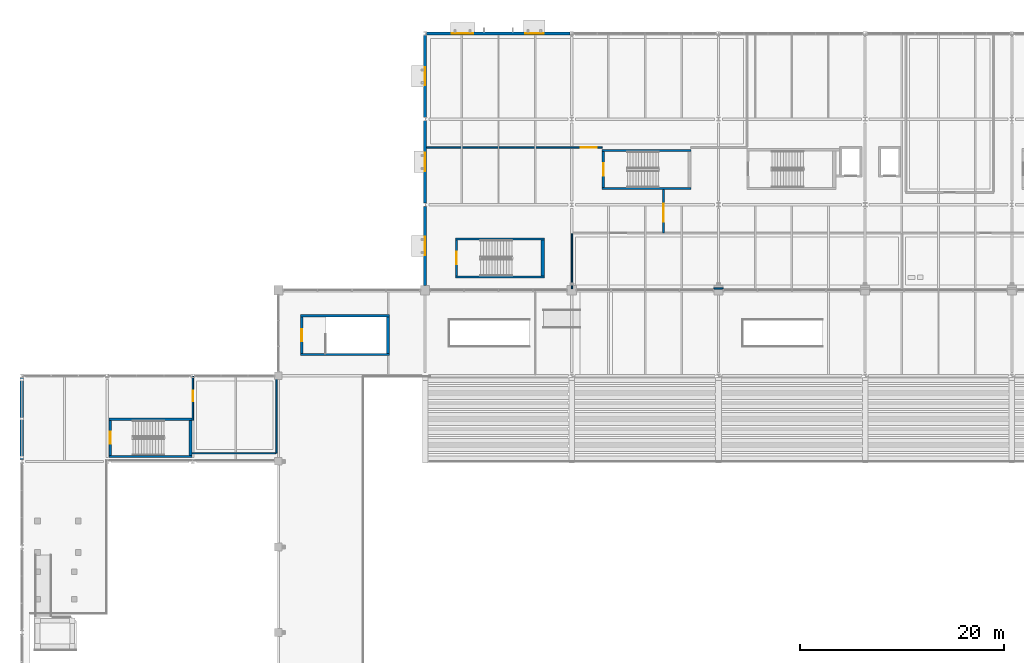
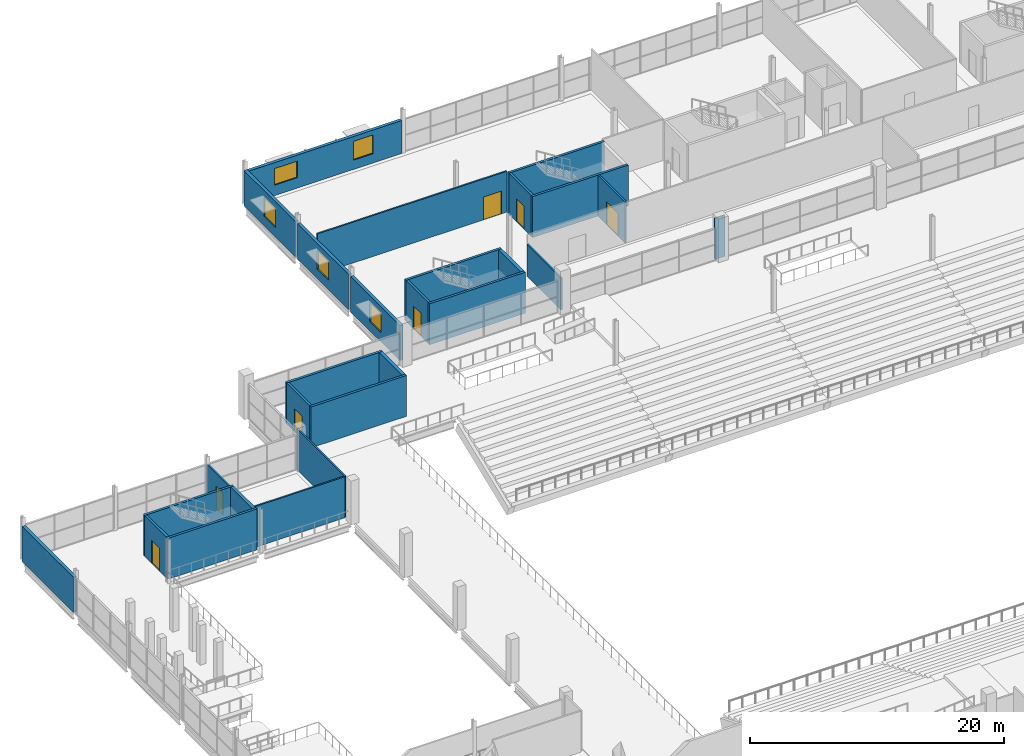
# One storey, part 137 of 161: 27 walls, 7 doors, 5 windows, 12 openings.
"""IFC4 building model written with IfcOpenShell, lengths in metres."""

from ifc_helpers import new_model, si_unit, direction, frame, frame_2d, origin, place, context, subcontext, project, spatial, rectangle, extrude, material, layer, layer_set, type_object, element, fill, save


model = new_model("IFC4")

# Units and contexts
model_context = context("Model", 3, precision=1e-05, world=origin(), true_north=direction((0.0, 1.0)))
body_context = subcontext(model_context, "Body", "Model", "MODEL_VIEW")
ifc_project = project(units=[si_unit("LENGTHUNIT", "METRE"), si_unit("AREAUNIT", "SQUARE_METRE"), si_unit("VOLUMEUNIT", "CUBIC_METRE"), si_unit("PLANEANGLEUNIT", "RADIAN"), si_unit("MASSUNIT", "GRAM", prefix="KILO"), si_unit("THERMODYNAMICTEMPERATUREUNIT", "KELVIN")], contexts=[model_context])

# Site, building, storey
site_placement = place(None, origin())
site = spatial("IfcSite", under=ifc_project, at=site_placement, CompositionType="ELEMENT")
building_placement = place(site_placement, origin())
building = spatial("IfcBuilding", under=site, at=building_placement, Name="Nduvali Passage Aquatics Centre", CompositionType="ELEMENT")
storey_placement = place(building_placement, frame((0.0, 0.0, 4.800048828125)))
storey = spatial("IfcBuildingStorey", under=building, at=storey_placement, Name="L01", CompositionType="ELEMENT", Elevation=4.800048828125)

# Wall, openings, windows
ifc_material_1 = material(Name="Coral-stone masonry blockwork", Category="masonry")
ifc_layer_1 = layer(ifc_material_1, 0.280029296875, Name="Coral-stone masonry blockwork")
ifc_layer_set_1 = layer_set([ifc_layer_1], Name="Coral-stone masonry blockwork")
wall_type_1 = type_object("IfcWallType", Name="ENV-WAL-CORAL280", PredefinedType="STANDARD", material=ifc_layer_set_1)
wall_1_placement = place(storey_placement, frame((53.845458984375, 117.60009765625, 0.0), z_axis=(0.0, 0.0, 1.0), x_axis=(-1.0, 0.0, 0.0)))
wall_1 = element("IfcWall", 1, at=wall_1_placement, inside=storey, type_object=wall_type_1, Name="L01 North Avenue Civic Facade 0060", PredefinedType="STANDARD", context=body_context, shape_type="SweptSolid", body=[
    extrude(rectangle(XDim=14.0908203125, YDim=0.280029296875, at=frame_2d((7.04541015625, 0.0))), origin(), (0.0, 0.0, 1.0), 3.173828125),
])
opening_1_placement = place(wall_1_placement, frame((2.623046875, 0.0, 0.89990234375)))
opening_1 = element("IfcOpeningElement", 2, at=opening_1_placement, cuts=wall_1, Name="Opening W2", PredefinedType="OPENING", context=body_context, shape_type="SweptSolid", body=[
    extrude(rectangle(XDim=1.800048828125, YDim=1.800048828125, at=frame_2d((0.89990234375, 0.89990234375))), frame((0.0, 0.15478515625, 0.0), z_axis=(0.0, -1.0, 0.0), x_axis=(1.0, 0.0, 0.0)), (0.0, 0.0, 1.0), 0.309814453125),
])
opening_2_placement = place(wall_1_placement, frame((9.51806640625, 0.0, 1.0)))
opening_2 = element("IfcOpeningElement", 3, at=opening_2_placement, cuts=wall_1, Name="Opening W5", PredefinedType="OPENING", context=body_context, shape_type="SweptSolid", body=[
    extrude(rectangle(XDim=2.10009765625, YDim=1.60009765625, at=frame_2d((1.050048828125, 0.800048828125))), frame((0.0, 0.15478515625, 0.0), z_axis=(0.0, -1.0, 0.0), x_axis=(1.0, 0.0, 0.0)), (0.0, 0.0, 1.0), 0.309814453125),
])
ifc_material_2 = material(Name="Aluminium-framed solar-control low-E IGU", Category="aluminium")
window_type_1 = type_object("IfcWindowType", Name="ENV-WIN-W2", PartitioningType="SINGLE_PANEL", PredefinedType="WINDOW", material=ifc_material_2)
window_1_placement = place(opening_1_placement, origin())
window_1 = element("IfcWindow", 4, at=window_1_placement, inside=storey, type_object=window_type_1, Name="L01 Exterior Window W2-0059", OverallHeight=1.800048828125, OverallWidth=1.800048828125, PartitioningType="SINGLE_PANEL", PredefinedType="WINDOW", context=body_context, shape_type="SweptSolid", body=[
    extrude(rectangle(XDim=1.800048828125, YDim=1.800048828125, at=frame_2d((0.89990234375, 0.89990234375))), frame((0.0, 0.030029296875, 0.0), z_axis=(0.0, -1.0, 0.0), x_axis=(1.0, 0.0, 0.0)), (0.0, 0.0, 1.0), 0.06005859375),
])
fill(opening_1, window_1)
window_type_2 = type_object("IfcWindowType", Name="ENV-WIN-W5", PartitioningType="SINGLE_PANEL", PredefinedType="WINDOW", material=ifc_material_2)
window_2_placement = place(opening_2_placement, origin())
window_2 = element("IfcWindow", 5, at=window_2_placement, inside=storey, type_object=window_type_2, Name="L01 Exterior Window W5-0060", OverallHeight=1.60009765625, OverallWidth=2.10009765625, PartitioningType="SINGLE_PANEL", PredefinedType="WINDOW", context=body_context, shape_type="SweptSolid", body=[
    extrude(rectangle(XDim=2.10009765625, YDim=1.60009765625, at=frame_2d((1.050048828125, 0.800048828125))), frame((0.0, 0.030029296875, 0.0), z_axis=(0.0, -1.0, 0.0), x_axis=(1.0, 0.0, 0.0)), (0.0, 0.0, 1.0), 0.06005859375),
])
fill(opening_2, window_2)

# Wall, opening, window
wall_2_placement = place(storey_placement, frame((39.60009765625, 100.6396484375, 0.0), z_axis=(0.0, 0.0, 1.0), x_axis=(0.0, -1.0, 0.0)))
wall_2 = element("IfcWall", 6, at=wall_2_placement, inside=storey, type_object=wall_type_1, Name="L01 North Wing West Stepped Facade 0062", PredefinedType="STANDARD", context=body_context, shape_type="SweptSolid", body=[
    extrude(rectangle(XDim=7.78955078125, YDim=0.280029296875, at=frame_2d((3.894775390625, 0.0))), origin(), (0.0, 0.0, 1.0), 3.396484375),
])
opening_3_placement = place(wall_2_placement, frame((2.9951171875, 0.0, 0.89990234375)))
opening_3 = element("IfcOpeningElement", 7, at=opening_3_placement, cuts=wall_2, Name="Opening W2", PredefinedType="OPENING", context=body_context, shape_type="SweptSolid", body=[
    extrude(rectangle(XDim=1.800048828125, YDim=1.800048828125, at=frame_2d((0.89990234375, 0.89990234375))), frame((0.0, 0.15478515625, 0.0), z_axis=(0.0, -1.0, 0.0), x_axis=(1.0, 0.0, 0.0)), (0.0, 0.0, 1.0), 0.309814453125),
])
window_3_placement = place(opening_3_placement, origin())
window_3 = element("IfcWindow", 8, at=window_3_placement, inside=storey, type_object=window_type_1, Name="L01 Exterior Window W2-0061", OverallHeight=1.800048828125, OverallWidth=1.800048828125, PartitioningType="SINGLE_PANEL", PredefinedType="WINDOW", context=body_context, shape_type="SweptSolid", body=[
    extrude(rectangle(XDim=1.800048828125, YDim=1.800048828125, at=frame_2d((0.89990234375, 0.89990234375))), frame((0.0, 0.030029296875, 0.0), z_axis=(0.0, -1.0, 0.0), x_axis=(1.0, 0.0, 0.0)), (0.0, 0.0, 1.0), 0.06005859375),
])
fill(opening_3, window_3)

wall_3_placement = place(storey_placement, frame((39.60009765625, 109.039794921875, 0.0), z_axis=(0.0, 0.0, 1.0), x_axis=(0.0, -1.0, 0.0)))
wall_3 = element("IfcWall", 9, at=wall_3_placement, inside=storey, type_object=wall_type_1, Name="L01 North Wing West Stepped Facade 0063", PredefinedType="STANDARD", context=body_context, shape_type="SweptSolid", body=[
    extrude(rectangle(XDim=8.07958984375, YDim=0.280029296875, at=frame_2d((4.039794921875, 0.0))), origin(), (0.0, 0.0, 1.0), 3.396484375),
])
opening_4_placement = place(wall_3_placement, frame((3.139892578125, 0.0, 0.89990234375)))
opening_4 = element("IfcOpeningElement", 10, at=opening_4_placement, cuts=wall_3, Name="Opening W2", PredefinedType="OPENING", context=body_context, shape_type="SweptSolid", body=[
    extrude(rectangle(XDim=1.800048828125, YDim=1.800048828125, at=frame_2d((0.89990234375, 0.89990234375))), frame((0.0, 0.15478515625, 0.0), z_axis=(0.0, -1.0, 0.0), x_axis=(1.0, 0.0, 0.0)), (0.0, 0.0, 1.0), 0.309814453125),
])
window_4_placement = place(opening_4_placement, origin())
window_4 = element("IfcWindow", 11, at=window_4_placement, inside=storey, type_object=window_type_1, Name="L01 Exterior Window W2-0062", OverallHeight=1.800048828125, OverallWidth=1.800048828125, PartitioningType="SINGLE_PANEL", PredefinedType="WINDOW", context=body_context, shape_type="SweptSolid", body=[
    extrude(rectangle(XDim=1.800048828125, YDim=1.800048828125, at=frame_2d((0.89990234375, 0.89990234375))), frame((0.0, 0.030029296875, 0.0), z_axis=(0.0, -1.0, 0.0), x_axis=(1.0, 0.0, 0.0)), (0.0, 0.0, 1.0), 0.06005859375),
])
fill(opening_4, window_4)

wall_4_placement = place(storey_placement, frame((39.60009765625, 117.439697265625, 0.0), z_axis=(0.0, 0.0, 1.0), x_axis=(0.0, -1.0, 0.0)))
wall_4 = element("IfcWall", 12, at=wall_4_placement, inside=storey, type_object=wall_type_1, Name="L01 North Wing West Stepped Facade 0064", PredefinedType="STANDARD", context=body_context, shape_type="SweptSolid", body=[
    extrude(rectangle(XDim=8.079345703125, YDim=0.280029296875, at=frame_2d((4.03955078125, 0.0))), origin(), (0.0, 0.0, 1.0), 3.396484375),
])
opening_5_placement = place(wall_4_placement, frame((3.139892578125, 0.0, 0.89990234375)))
opening_5 = element("IfcOpeningElement", 13, at=opening_5_placement, cuts=wall_4, Name="Opening W2", PredefinedType="OPENING", context=body_context, shape_type="SweptSolid", body=[
    extrude(rectangle(XDim=1.800048828125, YDim=1.800048828125, at=frame_2d((0.89990234375, 0.89990234375))), frame((0.0, 0.15478515625, 0.0), z_axis=(0.0, -1.0, 0.0), x_axis=(1.0, 0.0, 0.0)), (0.0, 0.0, 1.0), 0.309814453125),
])
window_5_placement = place(opening_5_placement, origin())
window_5 = element("IfcWindow", 14, at=window_5_placement, inside=storey, type_object=window_type_1, Name="L01 Exterior Window W2-0063", OverallHeight=1.800048828125, OverallWidth=1.800048828125, PartitioningType="SINGLE_PANEL", PredefinedType="WINDOW", context=body_context, shape_type="SweptSolid", body=[
    extrude(rectangle(XDim=1.800048828125, YDim=1.800048828125, at=frame_2d((0.89990234375, 0.89990234375))), frame((0.0, 0.030029296875, 0.0), z_axis=(0.0, -1.0, 0.0), x_axis=(1.0, 0.0, 0.0)), (0.0, 0.0, 1.0), 0.06005859375),
])
fill(opening_5, window_5)

# Walls
ifc_layer_2 = layer(ifc_material_1, 0.300048828125, Name="Coral-stone masonry blockwork")
ifc_layer_set_2 = layer_set([ifc_layer_2], Name="Coral-stone masonry blockwork")
wall_type_2 = type_object("IfcWallType", Name="ENV-WAL-CORAL300", PredefinedType="STANDARD", material=ifc_layer_set_2)
wall_5_placement = place(storey_placement, frame((0.0, 83.830078125, 0.0), z_axis=(0.0, 0.0, 1.0), x_axis=(0.0, -1.0, 0.0)))
element("IfcWall", 15, at=wall_5_placement, inside=storey, type_object=wall_type_2, Name="L01 Diving West Facade 0030", PredefinedType="STANDARD", context=body_context, shape_type="SweptSolid", body=[
    extrude(rectangle(XDim=8.06005859375, YDim=0.300048828125, at=frame_2d((4.030029296875, 0.0))), origin(), (0.0, 0.0, 1.0), 3.396484375),
])
ifc_material_3 = material(Name="Concrete C40/50", Category="concrete")
ifc_layer_3 = layer(ifc_material_3, 0.219970703125, Name="Concrete C40/50")
ifc_layer_set_3 = layer_set([ifc_layer_3], Name="Concrete C40/50")
wall_type_3 = type_object("IfcWallType", Name="INT-WAL-CORE220", PredefinedType="SOLIDWALL", material=ifc_layer_set_3)
for number, where, z_axis, x_axis, name in (
    (16, (56.97998046875, 102.389892578125, 0.0), (0.0, 0.0, 1.0), (1.0, 0.0, 0.0), "L01 Stair ST3 Core Wall S"),
    (17, (65.699951171875, 106.1201171875, 0.0), (0.0, 0.0, 1.0), (-1.0, 0.0, 0.0), "L01 Stair ST3 Core Wall N"),
):
    element("IfcWall", number, at=place(storey_placement, frame(where, z_axis=z_axis, x_axis=x_axis)), inside=storey, type_object=wall_type_3, Name=name, PredefinedType="SOLIDWALL", context=body_context, shape_type="SweptSolid", body=[
        extrude(rectangle(XDim=8.719970703125, YDim=0.219970703125, at=frame_2d((4.35986328125, 0.0))), origin(), (0.0, 0.0, 1.0), 3.93994140625),
    ])

# Wall, opening, door
wall_6_placement = place(storey_placement, frame((57.090087890625, 106.010009765625, 0.0), z_axis=(0.0, 0.0, 1.0), x_axis=(0.0, -1.0, 0.0)))
wall_6 = element("IfcWall", 18, at=wall_6_placement, inside=storey, type_object=wall_type_3, Name="L01 Stair ST3 Core Wall W", PredefinedType="SOLIDWALL", context=body_context, shape_type="SweptSolid", body=[
    extrude(rectangle(XDim=3.510009765625, YDim=0.219970703125, at=frame_2d((1.7548828125, 0.0))), origin(), (0.0, 0.0, 1.0), 3.93994140625),
])
opening_6_placement = place(wall_6_placement, frame((1.155029296875, 0.0, 0.0)))
opening_6 = element("IfcOpeningElement", 19, at=opening_6_placement, cuts=wall_6, Name="Opening FD-ST2", PredefinedType="OPENING", context=body_context, shape_type="SweptSolid", body=[
    extrude(rectangle(XDim=1.199951171875, YDim=2.199951171875, at=frame_2d((0.60009765625, 1.10009765625))), frame((0.0, 0.125, 0.0), z_axis=(0.0, -1.0, 0.0), x_axis=(1.0, 0.0, 0.0)), (0.0, 0.0, 1.0), 0.249755859375),
])
ifc_material_4 = material(Name="Galvanised steel door", Category="steel")
door_type_1 = type_object("IfcDoorType", Name="INT-DR-ST120", OperationType="NOTDEFINED", PredefinedType="DOOR", material=ifc_material_4)
door_1_placement = place(opening_6_placement, frame((1.199951171875, 0.0, 0.0), z_axis=(0.0, 0.0, 1.0), x_axis=(-1.0, 0.0, 0.0)))
door_1 = element("IfcDoor", 20, at=door_1_placement, inside=storey, type_object=door_type_1, Name="L01 Stair ST3 Fire Lobby Door", OperationType="SINGLE_SWING_LEFT", OverallHeight=2.199951171875, OverallWidth=1.199951171875, PredefinedType="DOOR", context=body_context, shape_type="SweptSolid", body=[
    extrude(rectangle(XDim=1.199951171875, YDim=2.199951171875, at=frame_2d((0.60009765625, 1.10009765625))), frame((0.0, 0.02490234375, 0.0), z_axis=(0.0, -1.0, 0.0), x_axis=(1.0, 0.0, 0.0)), (0.0, 0.0, 1.0), 0.050048828125),
])
fill(opening_6, door_1)

# Walls
for number, where, z_axis, x_axis, name in (
    (21, (42.580078125, 93.68994140625, 0.0), (0.0, 0.0, 1.0), (1.0, 0.0, 0.0), "L01 Stair ST4 Core Wall S"),
    (22, (51.300048828125, 97.419921875, 0.0), (0.0, 0.0, 1.0), (-1.0, 0.0, 0.0), "L01 Stair ST4 Core Wall N"),
):
    element("IfcWall", number, at=place(storey_placement, frame(where, z_axis=z_axis, x_axis=x_axis)), inside=storey, type_object=wall_type_3, Name=name, PredefinedType="SOLIDWALL", context=body_context, shape_type="SweptSolid", body=[
        extrude(rectangle(XDim=8.719970703125, YDim=0.219970703125, at=frame_2d((4.35986328125, 0.0))), origin(), (0.0, 0.0, 1.0), 3.93994140625),
    ])

# Wall, opening, door
wall_7_placement = place(storey_placement, frame((42.68994140625, 97.31005859375, 0.0), z_axis=(0.0, 0.0, 1.0), x_axis=(0.0, -1.0, 0.0)))
wall_7 = element("IfcWall", 23, at=wall_7_placement, inside=storey, type_object=wall_type_3, Name="L01 Stair ST4 Core Wall W", PredefinedType="SOLIDWALL", context=body_context, shape_type="SweptSolid", body=[
    extrude(rectangle(XDim=3.510009765625, YDim=0.219970703125, at=frame_2d((1.7548828125, 0.0))), origin(), (0.0, 0.0, 1.0), 3.93994140625),
])
opening_7_placement = place(wall_7_placement, frame((1.155029296875, 0.0, 0.0)))
opening_7 = element("IfcOpeningElement", 24, at=opening_7_placement, cuts=wall_7, Name="Opening FD-ST2", PredefinedType="OPENING", context=body_context, shape_type="SweptSolid", body=[
    extrude(rectangle(XDim=1.199951171875, YDim=2.199951171875, at=frame_2d((0.60009765625, 1.10009765625))), frame((0.0, 0.125, 0.0), z_axis=(0.0, -1.0, 0.0), x_axis=(1.0, 0.0, 0.0)), (0.0, 0.0, 1.0), 0.249755859375),
])
door_2_placement = place(opening_7_placement, frame((1.199951171875, 0.0, 0.0), z_axis=(0.0, 0.0, 1.0), x_axis=(-1.0, 0.0, 0.0)))
door_2 = element("IfcDoor", 25, at=door_2_placement, inside=storey, type_object=door_type_1, Name="L01 Stair ST4 Fire Lobby Door", OperationType="SINGLE_SWING_LEFT", OverallHeight=2.199951171875, OverallWidth=1.199951171875, PredefinedType="DOOR", context=body_context, shape_type="SweptSolid", body=[
    extrude(rectangle(XDim=1.199951171875, YDim=2.199951171875, at=frame_2d((0.60009765625, 1.10009765625))), frame((0.0, 0.02490234375, 0.0), z_axis=(0.0, -1.0, 0.0), x_axis=(1.0, 0.0, 0.0)), (0.0, 0.0, 1.0), 0.050048828125),
])
fill(opening_7, door_2)

# Walls
for number, where, z_axis, x_axis, name in (
    (26, (27.3798828125, 86.090087890625, 0.0), (0.0, 0.0, 1.0), (1.0, 0.0, 0.0), "L01 Stair ST10 Core Wall S"),
    (27, (36.10009765625, 89.89990234375, 0.0), (0.0, 0.0, 1.0), (-1.0, 0.0, 0.0), "L01 Stair ST10 Core Wall N"),
):
    element("IfcWall", number, at=place(storey_placement, frame(where, z_axis=z_axis, x_axis=x_axis)), inside=storey, type_object=wall_type_3, Name=name, PredefinedType="SOLIDWALL", context=body_context, shape_type="SweptSolid", body=[
        extrude(rectangle(XDim=8.72021484375, YDim=0.219970703125, at=frame_2d((4.360107421875, 0.0))), origin(), (0.0, 0.0, 1.0), 3.93994140625),
    ])

# Wall, opening, door
wall_8_placement = place(storey_placement, frame((27.489990234375, 89.7900390625, 0.0), z_axis=(0.0, 0.0, 1.0), x_axis=(0.0, -1.0, 0.0)))
wall_8 = element("IfcWall", 28, at=wall_8_placement, inside=storey, type_object=wall_type_3, Name="L01 Stair ST10 Core Wall W", PredefinedType="SOLIDWALL", context=body_context, shape_type="SweptSolid", body=[
    extrude(rectangle(XDim=3.590087890625, YDim=0.219970703125, at=frame_2d((1.794921875, 0.0))), origin(), (0.0, 0.0, 1.0), 3.93994140625),
])
opening_8_placement = place(wall_8_placement, frame((1.195068359375, 0.0, 0.0)))
opening_8 = element("IfcOpeningElement", 29, at=opening_8_placement, cuts=wall_8, Name="Opening FD-ST2", PredefinedType="OPENING", context=body_context, shape_type="SweptSolid", body=[
    extrude(rectangle(XDim=1.199951171875, YDim=2.199951171875, at=frame_2d((0.60009765625, 1.10009765625))), frame((0.0, 0.125, 0.0), z_axis=(0.0, -1.0, 0.0), x_axis=(1.0, 0.0, 0.0)), (0.0, 0.0, 1.0), 0.249755859375),
])
door_3_placement = place(opening_8_placement, frame((1.199951171875, 0.0, 0.0), z_axis=(0.0, 0.0, 1.0), x_axis=(-1.0, 0.0, 0.0)))
door_3 = element("IfcDoor", 30, at=door_3_placement, inside=storey, type_object=door_type_1, Name="L01 Stair ST10 Fire Lobby Door", OperationType="SINGLE_SWING_RIGHT", OverallHeight=2.199951171875, OverallWidth=1.199951171875, PredefinedType="DOOR", context=body_context, shape_type="SweptSolid", body=[
    extrude(rectangle(XDim=1.199951171875, YDim=2.199951171875, at=frame_2d((0.60009765625, 1.10009765625))), frame((0.0, 0.02490234375, 0.0), z_axis=(0.0, -1.0, 0.0), x_axis=(1.0, 0.0, 0.0)), (0.0, 0.0, 1.0), 0.050048828125),
])
fill(opening_8, door_3)

# Walls
for number, where, z_axis, x_axis, name in (
    (31, (8.580078125, 76.090087890625, 0.0), (0.0, 0.0, 1.0), (1.0, 0.0, 0.0), "L01 Stair ST12 Core Wall S"),
    (32, (16.699951171875, 79.739990234375, 0.0), (0.0, 0.0, 1.0), (-1.0, 0.0, 0.0), "L01 Stair ST12 Core Wall N"),
):
    element("IfcWall", number, at=place(storey_placement, frame(where, z_axis=z_axis, x_axis=x_axis)), inside=storey, type_object=wall_type_3, Name=name, PredefinedType="SOLIDWALL", context=body_context, shape_type="SweptSolid", body=[
        extrude(rectangle(XDim=8.119873046875, YDim=0.219970703125, at=frame_2d((4.06005859375, 0.0))), origin(), (0.0, 0.0, 1.0), 3.93994140625),
    ])

# Wall, opening, door
wall_9_placement = place(storey_placement, frame((8.68994140625, 79.6298828125, 0.0), z_axis=(0.0, 0.0, 1.0), x_axis=(0.0, -1.0, 0.0)))
wall_9 = element("IfcWall", 33, at=wall_9_placement, inside=storey, type_object=wall_type_3, Name="L01 Stair ST12 Core Wall W", PredefinedType="SOLIDWALL", context=body_context, shape_type="SweptSolid", body=[
    extrude(rectangle(XDim=3.429931640625, YDim=0.219970703125, at=frame_2d((1.71484375, 0.0))), origin(), (0.0, 0.0, 1.0), 3.93994140625),
])
opening_9_placement = place(wall_9_placement, frame((1.114990234375, 0.0, 0.0)))
opening_9 = element("IfcOpeningElement", 34, at=opening_9_placement, cuts=wall_9, Name="Opening FD-ST2", PredefinedType="OPENING", context=body_context, shape_type="SweptSolid", body=[
    extrude(rectangle(XDim=1.199951171875, YDim=2.199951171875, at=frame_2d((0.60009765625, 1.10009765625))), frame((0.0, 0.125, 0.0), z_axis=(0.0, -1.0, 0.0), x_axis=(1.0, 0.0, 0.0)), (0.0, 0.0, 1.0), 0.249755859375),
])
door_4_placement = place(opening_9_placement, frame((1.199951171875, 0.0, 0.0), z_axis=(0.0, 0.0, 1.0), x_axis=(-1.0, 0.0, 0.0)))
door_4 = element("IfcDoor", 35, at=door_4_placement, inside=storey, type_object=door_type_1, Name="L01 Stair ST12 Fire Lobby Door", OperationType="SINGLE_SWING_RIGHT", OverallHeight=2.199951171875, OverallWidth=1.199951171875, PredefinedType="DOOR", context=body_context, shape_type="SweptSolid", body=[
    extrude(rectangle(XDim=1.199951171875, YDim=2.199951171875, at=frame_2d((0.60009765625, 1.10009765625))), frame((0.0, 0.02490234375, 0.0), z_axis=(0.0, -1.0, 0.0), x_axis=(1.0, 0.0, 0.0)), (0.0, 0.0, 1.0), 0.050048828125),
])
fill(opening_9, door_4)

ifc_material_5 = material(Name="Gypsum fire-rated stud partition")
ifc_layer_4 = layer(ifc_material_5, 0.159912109375, Name="Gypsum fire-rated stud partition")
ifc_layer_set_4 = layer_set([ifc_layer_4], Name="Gypsum fire-rated stud partition")
wall_type_4 = type_object("IfcWallType", Name="INT-WAL-FIRE160", PredefinedType="PARTITIONING", material=ifc_layer_set_4)
wall_10_placement = place(storey_placement, frame((63.0, 98.0, 0.0), z_axis=(0.0, 0.0, 1.0), x_axis=(0.0, 1.0, 0.0)))
wall_10 = element("IfcWall", 36, at=wall_10_placement, inside=storey, type_object=wall_type_4, Name="L01 Cross-Corridor Smoke Partition", PredefinedType="PARTITIONING", context=body_context, shape_type="SweptSolid", body=[
    extrude(rectangle(XDim=4.280029296875, YDim=0.159912109375, at=frame_2d((2.14013671875, 0.0))), origin(), (0.0, 0.0, 1.0), 3.93994140625),
])
opening_10_placement = place(wall_10_placement, frame((1.10009765625, 0.0, 0.0)))
opening_10 = element("IfcOpeningElement", 37, at=opening_10_placement, cuts=wall_10, Name="Opening FD-C1", PredefinedType="OPENING", context=body_context, shape_type="SweptSolid", body=[
    extrude(rectangle(XDim=1.800048828125, YDim=2.199951171875, at=frame_2d((0.89990234375, 1.10009765625))), frame((0.0, 0.0947265625, 0.0), z_axis=(0.0, -1.0, 0.0), x_axis=(1.0, 0.0, 0.0)), (0.0, 0.0, 1.0), 0.189697265625),
])
ifc_material_6 = material(Name="Timber solid-core fire door", Category="wood")
door_type_2 = type_object("IfcDoorType", Name="INT-DR-COR180", OperationType="DOUBLE_DOOR_SINGLE_SWING", PredefinedType="DOOR", material=ifc_material_6)
door_5_placement = place(opening_10_placement, origin())
door_5 = element("IfcDoor", 38, at=door_5_placement, inside=storey, type_object=door_type_2, Name="L01 Cross-Corridor Double Fire Door", OperationType="DOUBLE_DOOR_SINGLE_SWING", OverallHeight=2.199951171875, OverallWidth=1.800048828125, PredefinedType="DOOR", context=body_context, shape_type="SweptSolid", body=[
    extrude(rectangle(XDim=1.800048828125, YDim=2.199951171875, at=frame_2d((0.89990234375, 1.10009765625))), frame((0.0, 0.02490234375, 0.0), z_axis=(0.0, -1.0, 0.0), x_axis=(1.0, 0.0, 0.0)), (0.0, 0.0, 1.0), 0.050048828125),
])
fill(opening_10, door_5)

ifc_material_7 = material(Name="Gypsum acoustic stud partition")
ifc_layer_5 = layer(ifc_material_7, 0.139892578125, Name="Gypsum acoustic stud partition")
ifc_layer_set_5 = layer_set([ifc_layer_5], Name="Gypsum acoustic stud partition")
wall_type_5 = type_object("IfcWallType", Name="INT-WAL-PART140", PredefinedType="PARTITIONING", material=ifc_layer_set_5)
wall_11_placement = place(storey_placement, frame((16.800048828125, 79.6298828125, 0.0), z_axis=(0.0, 0.0, 1.0), x_axis=(0.0, 1.0, 0.0)))
wall_11 = element("IfcWall", 39, at=wall_11_placement, inside=storey, type_object=wall_type_5, Name="L01 Diving Dryland Conditioning Mezzanine Partition 0113", PredefinedType="PARTITIONING", context=body_context, shape_type="SweptSolid", body=[
    extrude(rectangle(XDim=4.35009765625, YDim=0.139892578125, at=frame_2d((2.175048828125, 0.0))), origin(), (0.0, 0.0, 1.0), 3.396484375),
])
opening_11_placement = place(wall_11_placement, frame((1.860107421875, 0.0, 0.0)))
opening_11 = element("IfcOpeningElement", 40, at=opening_11_placement, cuts=wall_11, Name="Opening ID1", PredefinedType="OPENING", context=body_context, shape_type="SweptSolid", body=[
    extrude(rectangle(XDim=1.02001953125, YDim=2.14990234375, at=frame_2d((0.510009765625, 1.074951171875))), frame((0.0, 0.0849609375, 0.0), z_axis=(0.0, -1.0, 0.0), x_axis=(1.0, 0.0, 0.0)), (0.0, 0.0, 1.0), 0.169677734375),
])
ifc_material_8 = material(Name="Timber solid-core door", Category="wood")
door_type_3 = type_object("IfcDoorType", Name="INT-DR-STD100", OperationType="NOTDEFINED", PredefinedType="DOOR", material=ifc_material_8)
door_6_placement = place(opening_11_placement, frame((1.02001953125, 0.0, 0.0), z_axis=(0.0, 0.0, 1.0), x_axis=(-1.0, 0.0, 0.0)))
door_6 = element("IfcDoor", 41, at=door_6_placement, inside=storey, type_object=door_type_3, Name="L01 Diving Dryland Conditioning Mezzanine Door 0037", OperationType="SINGLE_SWING_RIGHT", OverallHeight=2.14990234375, OverallWidth=1.02001953125, PredefinedType="DOOR", context=body_context, shape_type="SweptSolid", body=[
    extrude(rectangle(XDim=1.02001953125, YDim=2.14990234375, at=frame_2d((0.510009765625, 1.074951171875))), frame((0.0, 0.02490234375, 0.0), z_axis=(0.0, -1.0, 0.0), x_axis=(1.0, 0.0, 0.0)), (0.0, 0.0, 1.0), 0.050048828125),
])
fill(opening_11, door_6)

# Walls
wall_12_placement = place(storey_placement, frame((25.0, 76.39990234375, 0.0), z_axis=(0.0, 0.0, 1.0), x_axis=(0.0, 1.0, 0.0)))
element("IfcWall", 42, at=wall_12_placement, inside=storey, type_object=wall_type_5, Name="L01 Diving Dryland Conditioning Mezzanine Partition 0114", PredefinedType="PARTITIONING", context=body_context, shape_type="SweptSolid", body=[
    extrude(rectangle(XDim=7.580078125, YDim=0.139892578125, at=frame_2d((3.7900390625, 0.0))), origin(), (0.0, 0.0, 1.0), 3.93994140625),
])
wall_13_placement = place(storey_placement, frame((16.699951171875, 76.39990234375, 0.0), z_axis=(0.0, 0.0, 1.0), x_axis=(1.0, 0.0, 0.0)))
element("IfcWall", 43, at=wall_13_placement, inside=storey, type_object=wall_type_5, Name="L01 Diving Dryland Conditioning Mezzanine Partition 0115", PredefinedType="PARTITIONING", context=body_context, shape_type="SweptSolid", body=[
    extrude(rectangle(XDim=8.22998046875, YDim=0.139892578125, at=frame_2d((4.114990234375, 0.0))), origin(), (0.0, 0.0, 1.0), 3.93994140625),
])

# Wall, opening, door
wall_14_placement = place(storey_placement, frame((39.739990234375, 106.39990234375, 0.0), z_axis=(0.0, 0.0, 1.0), x_axis=(1.0, 0.0, 0.0)))
wall_14 = element("IfcWall", 44, at=wall_14_placement, inside=storey, type_object=wall_type_5, Name="L01 Avenue Conditioning and Cardio Fitness Gym Partition 0136", PredefinedType="PARTITIONING", context=body_context, shape_type="SweptSolid", body=[
    extrude(rectangle(XDim=17.239990234375, YDim=0.139892578125, at=frame_2d((8.6201171875, 0.0))), origin(), (0.0, 0.0, 1.0), 3.93994140625),
])
opening_12_placement = place(wall_14_placement, frame((15.1298828125, 0.0, 0.0)))
opening_12 = element("IfcOpeningElement", 45, at=opening_12_placement, cuts=wall_14, Name="Opening ID4", PredefinedType="OPENING", context=body_context, shape_type="SweptSolid", body=[
    extrude(rectangle(XDim=1.60009765625, YDim=2.199951171875, at=frame_2d((0.800048828125, 1.10009765625))), frame((0.0, 0.0849609375, 0.0), z_axis=(0.0, -1.0, 0.0), x_axis=(1.0, 0.0, 0.0)), (0.0, 0.0, 1.0), 0.169677734375),
])
ifc_material_9 = material(Name="Aluminium-framed glazed door", Category="aluminium")
door_type_4 = type_object("IfcDoorType", Name="INT-DR-DBL160", OperationType="DOUBLE_DOOR_SINGLE_SWING", PredefinedType="DOOR", material=ifc_material_9)
door_7_placement = place(opening_12_placement, frame((1.60009765625, 0.0, 0.0), z_axis=(0.0, 0.0, 1.0), x_axis=(-1.0, 0.0, 0.0)))
door_7 = element("IfcDoor", 46, at=door_7_placement, inside=storey, type_object=door_type_4, Name="L01 Avenue Conditioning and Cardio Fitness Gym Door 0045", OperationType="DOUBLE_DOOR_SINGLE_SWING", OverallHeight=2.199951171875, OverallWidth=1.60009765625, PredefinedType="DOOR", context=body_context, shape_type="SweptSolid", body=[
    extrude(rectangle(XDim=1.60009765625, YDim=2.199951171875, at=frame_2d((0.800048828125, 1.10009765625))), frame((0.0, 0.02490234375, 0.0), z_axis=(0.0, -1.0, 0.0), x_axis=(1.0, 0.0, 0.0)), (0.0, 0.0, 1.0), 0.050048828125),
])
fill(opening_12, door_7)

# Walls
wall_15_placement = place(storey_placement, frame((67.949951171875, 92.56005859375, 0.0), z_axis=(0.0, 0.0, 1.0), x_axis=(1.0, 0.0, 0.0)))
element("IfcWall", 47, at=wall_15_placement, inside=storey, type_object=wall_type_5, Name="L01 Pool-View Functional Training Zone Partition 0142", PredefinedType="PARTITIONING", context=body_context, shape_type="SweptSolid", body=[
    extrude(rectangle(XDim=0.900146484375, YDim=0.139892578125, at=frame_2d((0.4501953125, 0.0))), origin(), (0.0, 0.0, 1.0), 3.93994140625),
])
wall_16_placement = place(storey_placement, frame((54.02001953125, 92.56005859375, 0.0), z_axis=(0.0, 0.0, 1.0), x_axis=(0.0, 1.0, 0.0)))
element("IfcWall", 48, at=wall_16_placement, inside=storey, type_object=wall_type_5, Name="L01 Pool-View Functional Training Zone Partition 0145", PredefinedType="PARTITIONING", context=body_context, shape_type="SweptSolid", body=[
    extrude(rectangle(XDim=5.369873046875, YDim=0.139892578125, at=frame_2d((2.68505859375, 0.0))), origin(), (0.0, 0.0, 1.0), 3.074462890625),
])
ifc_layer_6 = layer(ifc_material_3, 0.300048828125, Name="Concrete C40/50")
ifc_layer_set_6 = layer_set([ifc_layer_6], Name="Concrete C40/50")
wall_type_6 = type_object("IfcWallType", Name="STR-WAL-SHR300", PredefinedType="SHEAR", material=ifc_layer_set_6)
wall_17_placement = place(storey_placement, frame((51.14990234375, 93.800048828125, 0.0), z_axis=(0.0, 0.0, 1.0), x_axis=(0.0, 1.0, 0.0)))
element("IfcWall", 49, at=wall_17_placement, inside=storey, type_object=wall_type_6, Name="L01 Stair ST4 Core Shear Wall E", PredefinedType="SHEAR", context=body_context, shape_type="SweptSolid", body=[
    extrude(rectangle(XDim=3.510009765625, YDim=0.300048828125, at=frame_2d((1.7548828125, 0.0))), origin(), (0.0, 0.0, 1.0), 3.93994140625),
])
wall_18_placement = place(storey_placement, frame((35.949951171875, 86.199951171875, 0.0), z_axis=(0.0, 0.0, 1.0), x_axis=(0.0, 1.0, 0.0)))
element("IfcWall", 50, at=wall_18_placement, inside=storey, type_object=wall_type_6, Name="L01 Stair ST10 Core Shear Wall E", PredefinedType="SHEAR", context=body_context, shape_type="SweptSolid", body=[
    extrude(rectangle(XDim=3.590087890625, YDim=0.300048828125, at=frame_2d((1.794921875, 0.0))), origin(), (0.0, 0.0, 1.0), 3.93994140625),
])
wall_19_placement = place(storey_placement, frame((16.550048828125, 76.199951171875, 0.0), z_axis=(0.0, 0.0, 1.0), x_axis=(0.0, 1.0, 0.0)))
element("IfcWall", 51, at=wall_19_placement, inside=storey, type_object=wall_type_6, Name="L01 Stair ST12 Core Shear Wall E", PredefinedType="SHEAR", context=body_context, shape_type="SweptSolid", body=[
    extrude(rectangle(XDim=3.429931640625, YDim=0.300048828125, at=frame_2d((1.71484375, 0.0))), origin(), (0.0, 0.0, 1.0), 3.93994140625),
])

save(model, "model.ifc")
